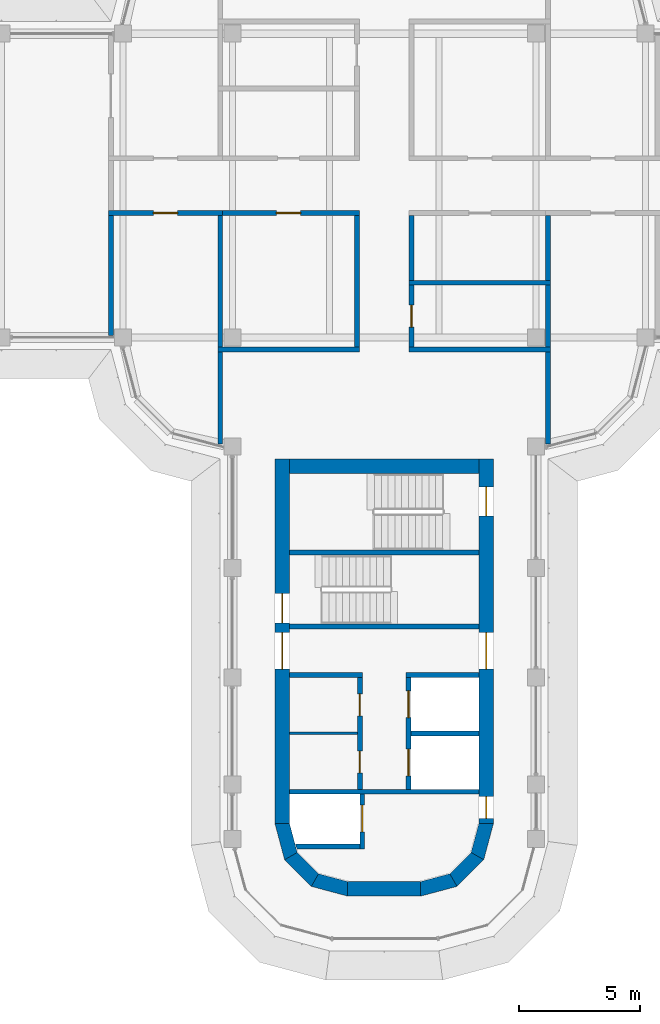
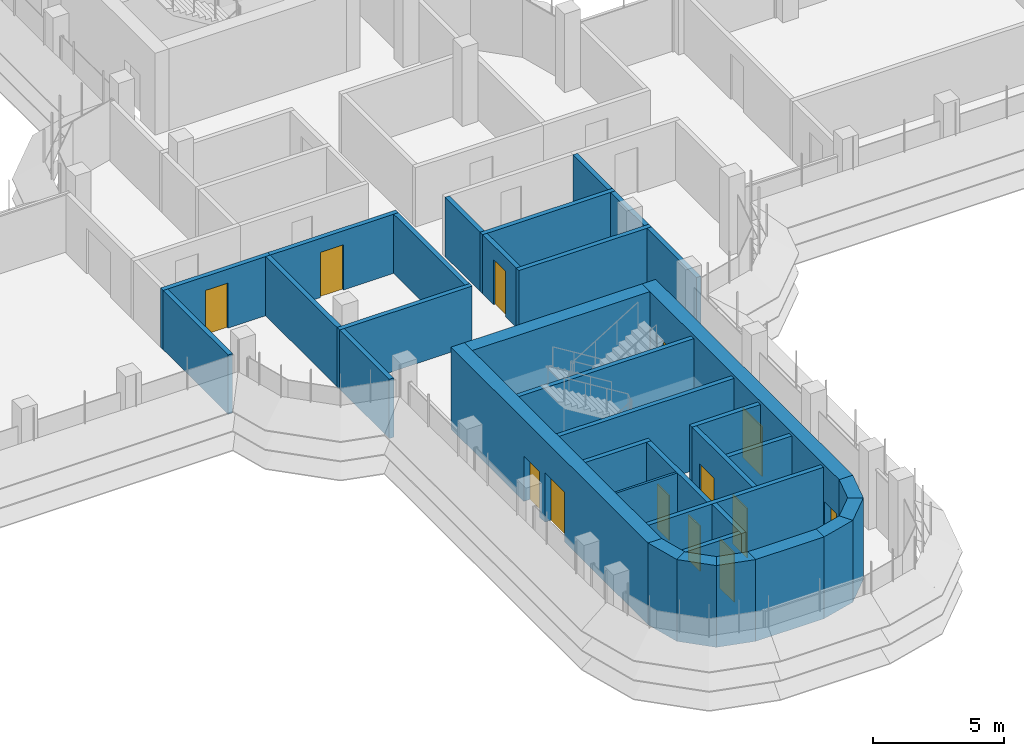
# One storey, part 13 of 19: 35 walls, 13 doors, 13 openings.
"""IFC4 building model written with IfcOpenShell, lengths in metres."""

from ifc_helpers import new_model, si_unit, direction, frame, frame_2d, origin, place, context, subcontext, project, spatial, polyline, rectangle, outline, extrude, material, layer, layer_set, type_object, element, fill, save


model = new_model("IFC4")

# Units and contexts
model_context = context("Model", 3, precision=1e-05, world=origin(), true_north=direction((0.0, 1.0)))
body_context = subcontext(model_context, "Body", "Model", "MODEL_VIEW")
ifc_project = project(units=[si_unit("LENGTHUNIT", "METRE"), si_unit("AREAUNIT", "SQUARE_METRE"), si_unit("VOLUMEUNIT", "CUBIC_METRE"), si_unit("PLANEANGLEUNIT", "RADIAN"), si_unit("MASSUNIT", "GRAM", prefix="KILO")], contexts=[model_context])

# Site, building, storey
site_placement = place(None, origin())
site = spatial("IfcSite", under=ifc_project, at=site_placement, CompositionType="ELEMENT")
building_placement = place(site_placement, origin())
building = spatial("IfcBuilding", under=site, at=building_placement, Name="Zarbagh Exchange Tower", CompositionType="ELEMENT")
storey_placement = place(building_placement, frame((0.0, 0.0, 222.0)))
storey = spatial("IfcBuildingStorey", under=building, at=storey_placement, Name="L54", CompositionType="ELEMENT", Elevation=222.0)

# Wall
ifc_material_1 = material(Name="Dense blockwork", Category="masonry")
ifc_layer_1 = layer(ifc_material_1, 0.10009765625)
ifc_layer_set_1 = layer_set([ifc_layer_1], Name="Core partition 100 mm blockwork")
wall_type_1 = type_object("IfcWallType", Name="Core partition 100 mm blockwork", PredefinedType="PARTITIONING", material=ifc_layer_set_1)
wall_1_placement = place(storey_placement, frame((-1.10009765625, -22.550048828125, 0.0), z_axis=(0.0, 0.0, 1.0), x_axis=(-1.0, 0.0, 0.0)))
element("IfcWall", 1, at=wall_1_placement, inside=storey, type_object=wall_type_1, Name="South core partition wall CUT-E-580", PredefinedType="PARTITIONING", context=body_context, shape_type="SweptSolid", body=[
    extrude(rectangle(XDim=2.7998046875, YDim=0.10009765625, at=frame_2d((1.39990234375, 0.0))), origin(), (0.0, 0.0, 1.0), 3.64990234375),
])

# Wall, opening, door
ifc_material_2 = material(Name="Fire-rated plasterboard partition")
ifc_layer_2 = layer(ifc_material_2, 0.199951171875)
ifc_layer_set_2 = layer_set([ifc_layer_2], Name="RATED PARTITION 200")
wall_type_2 = type_object("IfcWallType", Name="RATED PARTITION 200", PredefinedType="PARTITIONING", material=ifc_layer_set_2)
wall_2_placement = place(storey_placement, frame((-1.02490234375, -1.125, 0.0), z_axis=(0.0, 0.0, 1.0), x_axis=(-1.0, 0.0, 0.0)))
wall_2 = element("IfcWall", 2, at=wall_2_placement, inside=storey, type_object=wall_type_2, Name="Partition W-2407", PredefinedType="PARTITIONING", context=body_context, shape_type="SweptSolid", body=[
    extrude(rectangle(XDim=5.8251953125, YDim=0.199951171875, at=frame_2d((2.91259765625, 0.0))), origin(), (0.0, 0.0, 1.0), 2.75),
])
opening_1_placement = place(wall_2_placement, frame((2.41259765625, 0.0, 0.0)))
opening_1 = element("IfcOpeningElement", 3, at=opening_1_placement, cuts=wall_2, Name="Opening D-2411", PredefinedType="OPENING", context=body_context, shape_type="SweptSolid", body=[
    extrude(rectangle(XDim=1.0, YDim=2.10009765625, at=frame_2d((0.5, 1.050048828125))), frame((0.0, 0.10986328125, 0.0), z_axis=(0.0, -1.0, 0.0), x_axis=(1.0, 0.0, 0.0)), (0.0, 0.0, 1.0), 0.219970703125),
])
ifc_material_3 = material(Name="Steel door set", Category="steel")
door_type_1 = type_object("IfcDoorType", Name="FIRE DOOR 1000 X 2100 FD30S", OperationType="NOTDEFINED", PredefinedType="DOOR", material=ifc_material_3)
door_1_placement = place(opening_1_placement, origin())
door_1 = element("IfcDoor", 4, at=door_1_placement, inside=storey, type_object=door_type_1, Name="Door D-2411", OperationType="SINGLE_SWING_RIGHT", OverallHeight=2.10009765625, OverallWidth=1.0, PredefinedType="DOOR", context=body_context, shape_type="SweptSolid", body=[
    extrude(rectangle(XDim=1.0, YDim=2.10009765625, at=frame_2d((0.5, 1.050048828125))), frame((0.0, 0.02490234375, 0.0), z_axis=(0.0, -1.0, 0.0), x_axis=(1.0, 0.0, 0.0)), (0.0, 0.0, 1.0), 0.050048828125),
])
fill(opening_1, door_1)

wall_3_placement = place(storey_placement, frame((-6.64990234375, -1.125, 0.0), z_axis=(0.0, 0.0, 1.0), x_axis=(-1.0, 0.0, 0.0)))
wall_3 = element("IfcWall", 5, at=wall_3_placement, inside=storey, type_object=wall_type_2, Name="Partition W-2408", PredefinedType="PARTITIONING", context=body_context, shape_type="SweptSolid", body=[
    extrude(rectangle(XDim=4.7001953125, YDim=0.199951171875, at=frame_2d((2.35009765625, 0.0))), origin(), (0.0, 0.0, 1.0), 2.75),
])
opening_2_placement = place(wall_3_placement, frame((1.85009765625, 0.0, 0.0)))
opening_2 = element("IfcOpeningElement", 6, at=opening_2_placement, cuts=wall_3, Name="Opening D-2412", PredefinedType="OPENING", context=body_context, shape_type="SweptSolid", body=[
    extrude(rectangle(XDim=1.0, YDim=2.10009765625, at=frame_2d((0.5, 1.050048828125))), frame((0.0, 0.10986328125, 0.0), z_axis=(0.0, -1.0, 0.0), x_axis=(1.0, 0.0, 0.0)), (0.0, 0.0, 1.0), 0.219970703125),
])
door_2_placement = place(opening_2_placement, origin())
door_2 = element("IfcDoor", 7, at=door_2_placement, inside=storey, type_object=door_type_1, Name="Door D-2412", OperationType="SINGLE_SWING_RIGHT", OverallHeight=2.10009765625, OverallWidth=1.0, PredefinedType="DOOR", context=body_context, shape_type="SweptSolid", body=[
    extrude(rectangle(XDim=1.0, YDim=2.10009765625, at=frame_2d((0.5, 1.050048828125))), frame((0.0, 0.02490234375, 0.0), z_axis=(0.0, -1.0, 0.0), x_axis=(1.0, 0.0, 0.0)), (0.0, 0.0, 1.0), 0.050048828125),
])
fill(opening_2, door_2)

# Wall
wall_4_placement = place(storey_placement, frame((1.125, -3.89990234375, 0.0), z_axis=(0.0, 0.0, 1.0), x_axis=(0.0, 1.0, 0.0)))
element("IfcWall", 8, at=wall_4_placement, inside=storey, type_object=wall_type_2, Name="Partition W-2413", PredefinedType="PARTITIONING", context=body_context, shape_type="SweptSolid", body=[
    extrude(rectangle(XDim=2.6748046875, YDim=0.199951171875, at=frame_2d((1.33740234375, 0.0))), origin(), (0.0, 0.0, 1.0), 2.75),
])

# Wall, opening, door
wall_5_placement = place(storey_placement, frame((1.125, -4.10009765625, 0.0), z_axis=(0.0, 0.0, 1.0), x_axis=(0.0, -1.0, 0.0)))
wall_5 = element("IfcWall", 9, at=wall_5_placement, inside=storey, type_object=wall_type_2, Name="Partition W-2414", PredefinedType="PARTITIONING", context=body_context, shape_type="SweptSolid", body=[
    extrude(rectangle(XDim=2.5498046875, YDim=0.199951171875, at=frame_2d((1.27490234375, 0.0))), origin(), (0.0, 0.0, 1.0), 2.75),
])
opening_3_placement = place(wall_5_placement, frame((0.824951171875, 0.0, 0.0)))
opening_3 = element("IfcOpeningElement", 10, at=opening_3_placement, cuts=wall_5, Name="Opening D-2409", PredefinedType="OPENING", context=body_context, shape_type="SweptSolid", body=[
    extrude(rectangle(XDim=0.89990234375, YDim=2.10009765625, at=frame_2d((0.449951171875, 1.050048828125))), frame((0.0, 0.10986328125, 0.0), z_axis=(0.0, -1.0, 0.0), x_axis=(1.0, 0.0, 0.0)), (0.0, 0.0, 1.0), 0.219970703125),
])
ifc_material_4 = material(Name="Timber door leaf", Category="wood")
door_type_2 = type_object("IfcDoorType", Name="DOOR 900 X 2100", OperationType="NOTDEFINED", PredefinedType="DOOR", material=ifc_material_4)
door_3_placement = place(opening_3_placement, origin())
door_3 = element("IfcDoor", 11, at=door_3_placement, inside=storey, type_object=door_type_2, Name="Door D-2409", OperationType="SINGLE_SWING_RIGHT", OverallHeight=2.10009765625, OverallWidth=0.89990234375, PredefinedType="DOOR", context=body_context, shape_type="SweptSolid", body=[
    extrude(rectangle(XDim=0.89990234375, YDim=2.10009765625, at=frame_2d((0.449951171875, 1.050048828125))), frame((0.0, 0.02490234375, 0.0), z_axis=(0.0, -1.0, 0.0), x_axis=(1.0, 0.0, 0.0)), (0.0, 0.0, 1.0), 0.050048828125),
])
fill(opening_3, door_3)

# Walls
wall_6_placement = place(storey_placement, frame((-1.125, -6.64990234375, 0.0), z_axis=(0.0, 0.0, 1.0), x_axis=(0.0, 1.0, 0.0)))
element("IfcWall", 12, at=wall_6_placement, inside=storey, type_object=wall_type_2, Name="Partition W-2415", PredefinedType="PARTITIONING", context=body_context, shape_type="SweptSolid", body=[
    extrude(rectangle(XDim=5.4248046875, YDim=0.199951171875, at=frame_2d((2.71240234375, 0.0))), origin(), (0.0, 0.0, 1.0), 2.75),
])
wall_7_placement = place(storey_placement, frame((1.02490234375, -6.75, 0.0), z_axis=(0.0, 0.0, 1.0), x_axis=(1.0, 0.0, 0.0)))
element("IfcWall", 13, at=wall_7_placement, inside=storey, type_object=wall_type_2, Name="Partition W-2420", PredefinedType="PARTITIONING", context=body_context, shape_type="SweptSolid", body=[
    extrude(rectangle(XDim=5.8251953125, YDim=0.199951171875, at=frame_2d((2.91259765625, 0.0))), origin(), (0.0, 0.0, 1.0), 2.75),
])
wall_8_placement = place(storey_placement, frame((6.75, -10.6298828125, 0.0), z_axis=(0.0, 0.0, 1.0), x_axis=(0.0, 1.0, 0.0)))
element("IfcWall", 14, at=wall_8_placement, inside=storey, type_object=wall_type_2, Name="Partition W-2421", PredefinedType="PARTITIONING", context=body_context, shape_type="SweptSolid", body=[
    extrude(rectangle(XDim=3.77978515625, YDim=0.199951171875, at=frame_2d((1.889892578125, 0.0))), origin(), (0.0, 0.0, 1.0), 2.75),
])
wall_9_placement = place(storey_placement, frame((-6.85009765625, -6.75, 0.0), z_axis=(0.0, 0.0, 1.0), x_axis=(1.0, 0.0, 0.0)))
element("IfcWall", 15, at=wall_9_placement, inside=storey, type_object=wall_type_2, Name="Partition W-2422", PredefinedType="PARTITIONING", context=body_context, shape_type="SweptSolid", body=[
    extrude(rectangle(XDim=5.8251953125, YDim=0.199951171875, at=frame_2d((2.91259765625, 0.0))), origin(), (0.0, 0.0, 1.0), 2.75),
])
wall_10_placement = place(storey_placement, frame((-6.75, -10.6298828125, 0.0), z_axis=(0.0, 0.0, 1.0), x_axis=(0.0, 1.0, 0.0)))
element("IfcWall", 16, at=wall_10_placement, inside=storey, type_object=wall_type_2, Name="Partition W-2423", PredefinedType="PARTITIONING", context=body_context, shape_type="SweptSolid", body=[
    extrude(rectangle(XDim=3.77978515625, YDim=0.199951171875, at=frame_2d((1.889892578125, 0.0))), origin(), (0.0, 0.0, 1.0), 2.75),
])
wall_11_placement = place(storey_placement, frame((1.02490234375, -4.0, 0.0), z_axis=(0.0, 0.0, 1.0), x_axis=(1.0, 0.0, 0.0)))
element("IfcWall", 17, at=wall_11_placement, inside=storey, type_object=wall_type_2, Name="Partition W-2430", PredefinedType="PARTITIONING", context=body_context, shape_type="SweptSolid", body=[
    extrude(rectangle(XDim=5.8251953125, YDim=0.199951171875, at=frame_2d((2.91259765625, 0.0))), origin(), (0.0, 0.0, 1.0), 2.75),
])
wall_12_placement = place(storey_placement, frame((6.75, -3.89990234375, 0.0), z_axis=(0.0, 0.0, 1.0), x_axis=(0.0, 1.0, 0.0)))
element("IfcWall", 18, at=wall_12_placement, inside=storey, type_object=wall_type_2, Name="Partition W-2431", PredefinedType="PARTITIONING", context=body_context, shape_type="SweptSolid", body=[
    extrude(rectangle(XDim=2.6748046875, YDim=0.199951171875, at=frame_2d((1.33740234375, 0.0))), origin(), (0.0, 0.0, 1.0), 2.75),
])
wall_13_placement = place(storey_placement, frame((6.75, -6.64990234375, 0.0), z_axis=(0.0, 0.0, 1.0), x_axis=(0.0, 1.0, 0.0)))
element("IfcWall", 19, at=wall_13_placement, inside=storey, type_object=wall_type_2, Name="Partition W-2432", PredefinedType="PARTITIONING", context=body_context, shape_type="SweptSolid", body=[
    extrude(rectangle(XDim=2.5498046875, YDim=0.199951171875, at=frame_2d((1.27490234375, 0.0))), origin(), (0.0, 0.0, 1.0), 2.75),
])
wall_14_placement = place(storey_placement, frame((-6.75, -6.64990234375, 0.0), z_axis=(0.0, 0.0, 1.0), x_axis=(0.0, 1.0, 0.0)))
element("IfcWall", 20, at=wall_14_placement, inside=storey, type_object=wall_type_2, Name="Partition W-2434", PredefinedType="PARTITIONING", context=body_context, shape_type="SweptSolid", body=[
    extrude(rectangle(XDim=5.4248046875, YDim=0.199951171875, at=frame_2d((2.71240234375, 0.0))), origin(), (0.0, 0.0, 1.0), 2.75),
])
wall_15_placement = place(storey_placement, frame((-11.25, -6.169921875, 0.0), z_axis=(0.0, 0.0, 1.0), x_axis=(0.0, 1.0, 0.0)))
element("IfcWall", 21, at=wall_15_placement, inside=storey, type_object=wall_type_2, Name="Partition W-2435", PredefinedType="PARTITIONING", context=body_context, shape_type="SweptSolid", body=[
    extrude(rectangle(XDim=4.94482421875, YDim=0.199951171875, at=frame_2d((2.472412109375, 0.0))), origin(), (0.0, 0.0, 1.0), 2.75),
])
ifc_material_5 = material(Name="Concrete C50/60", Category="concrete")
ifc_layer_3 = layer(ifc_material_5, 0.60009765625)
ifc_layer_set_3 = layer_set([ifc_layer_3], Name="RC core corner wall 600 C50/60")
wall_type_3 = type_object("IfcWallType", Name="RC core corner wall 600 C50/60", PredefinedType="SHEAR", material=ifc_layer_set_3)
wall_16_placement = place(storey_placement, origin())
element("IfcWall", 22, at=wall_16_placement, inside=storey, type_object=wall_type_3, Name="CW8 core S corner W", PredefinedType="SHEAR", context=body_context, shape_type="SweptSolid", body=[
    extrude(outline(polyline([(-4.5, -26.25), (-4.09814453125, -27.75), (-3.57861328125, -27.449951171875), (-3.89990234375, -26.25), (-4.5, -26.25)])), origin(), (0.0, 0.0, 1.0), 3.800048828125),
])
wall_17_placement = place(storey_placement, origin())
element("IfcWall", 23, at=wall_17_placement, inside=storey, type_object=wall_type_3, Name="CW8 core S corner W", PredefinedType="SHEAR", context=body_context, shape_type="SweptSolid", body=[
    extrude(outline(polyline([(-4.09814453125, -27.75), (-3.0, -28.84814453125), (-2.699951171875, -28.32861328125), (-3.57861328125, -27.449951171875), (-4.09814453125, -27.75)])), origin(), (0.0, 0.0, 1.0), 3.800048828125),
])
wall_18_placement = place(storey_placement, origin())
element("IfcWall", 24, at=wall_18_placement, inside=storey, type_object=wall_type_3, Name="CW8 core S corner W", PredefinedType="SHEAR", context=body_context, shape_type="SweptSolid", body=[
    extrude(outline(polyline([(-3.0, -28.84814453125), (-1.5, -29.25), (-1.5, -28.64990234375), (-2.699951171875, -28.32861328125), (-3.0, -28.84814453125)])), origin(), (0.0, 0.0, 1.0), 3.800048828125),
])
wall_19_placement = place(storey_placement, origin())
element("IfcWall", 25, at=wall_19_placement, inside=storey, type_object=wall_type_3, Name="CW8 core S corner E", PredefinedType="SHEAR", context=body_context, shape_type="SweptSolid", body=[
    extrude(outline(polyline([(4.5, -26.25), (4.09814453125, -27.75), (3.57861328125, -27.449951171875), (3.89990234375, -26.25), (4.5, -26.25)])), origin(), (0.0, 0.0, 1.0), 3.800048828125),
])
wall_20_placement = place(storey_placement, origin())
element("IfcWall", 26, at=wall_20_placement, inside=storey, type_object=wall_type_3, Name="CW8 core S corner E", PredefinedType="SHEAR", context=body_context, shape_type="SweptSolid", body=[
    extrude(outline(polyline([(4.09814453125, -27.75), (3.0, -28.84814453125), (2.699951171875, -28.32861328125), (3.57861328125, -27.449951171875), (4.09814453125, -27.75)])), origin(), (0.0, 0.0, 1.0), 3.800048828125),
])
wall_21_placement = place(storey_placement, origin())
element("IfcWall", 27, at=wall_21_placement, inside=storey, type_object=wall_type_3, Name="CW8 core S corner E", PredefinedType="SHEAR", context=body_context, shape_type="SweptSolid", body=[
    extrude(outline(polyline([(3.0, -28.84814453125), (1.5, -29.25), (1.5, -28.64990234375), (2.699951171875, -28.32861328125), (3.0, -28.84814453125)])), origin(), (0.0, 0.0, 1.0), 3.800048828125),
])

# Wall, openings, doors
ifc_layer_4 = layer(ifc_material_5, 0.60009765625)
ifc_layer_set_4 = layer_set([ifc_layer_4], Name="RC core wall 600 C50/60")
wall_type_4 = type_object("IfcWallType", Name="RC core wall 600 C50/60", PredefinedType="SHEAR", material=ifc_layer_set_4)
wall_22_placement = place(storey_placement, frame((-4.199951171875, -11.25, 0.0), z_axis=(0.0, 0.0, 1.0), x_axis=(0.0, -1.0, 0.0)))
wall_22 = element("IfcWall", 28, at=wall_22_placement, inside=storey, type_object=wall_type_4, Name="CW7 core S W", PredefinedType="SHEAR", context=body_context, shape_type="SweptSolid", body=[
    extrude(rectangle(XDim=15.0, YDim=0.60009765625, at=frame_2d((7.5, 0.0))), origin(), (0.0, 0.0, 1.0), 3.800048828125),
])
opening_4_placement = place(wall_22_placement, frame((7.14990234375, 0.0, 0.0)))
opening_4 = element("IfcOpeningElement", 29, at=opening_4_placement, cuts=wall_22, Name="Opening CD1-1500", PredefinedType="OPENING", context=body_context, shape_type="SweptSolid", body=[
    extrude(rectangle(XDim=1.5, YDim=2.300048828125, at=frame_2d((0.75, 1.14990234375))), frame((0.0, 0.31005859375, 0.0), z_axis=(0.0, -1.0, 0.0), x_axis=(1.0, 0.0, 0.0)), (0.0, 0.0, 1.0), 0.6201171875),
])
opening_5_placement = place(wall_22_placement, frame((5.550048828125, 0.0, 0.0)))
opening_5 = element("IfcOpeningElement", 30, at=opening_5_placement, cuts=wall_22, Name="Opening SD1-1200", PredefinedType="OPENING", context=body_context, shape_type="SweptSolid", body=[
    extrude(rectangle(XDim=1.199951171875, YDim=2.10009765625, at=frame_2d((0.60009765625, 1.050048828125))), frame((0.0, 0.31005859375, 0.0), z_axis=(0.0, -1.0, 0.0), x_axis=(1.0, 0.0, 0.0)), (0.0, 0.0, 1.0), 0.6201171875),
])
ifc_material_6 = material(Name="Steel", Category="steel")
door_type_3 = type_object("IfcDoorType", Name="Exit stair door 1200 x 2100", OperationType="NOTDEFINED", PredefinedType="DOOR", material=ifc_material_6)
door_4_placement = place(opening_5_placement, origin())
door_4 = element("IfcDoor", 31, at=door_4_placement, inside=storey, type_object=door_type_3, Name="South core stair door ST1", OperationType="SINGLE_SWING_RIGHT", OverallHeight=2.10009765625, OverallWidth=1.199951171875, PredefinedType="DOOR", context=body_context, shape_type="SweptSolid", body=[
    extrude(rectangle(XDim=1.199951171875, YDim=2.10009765625, at=frame_2d((0.60009765625, 1.050048828125))), frame((0.0, 0.02490234375, 0.0), z_axis=(0.0, -1.0, 0.0), x_axis=(1.0, 0.0, 0.0)), (0.0, 0.0, 1.0), 0.050048828125),
])
fill(opening_5, door_4)
door_type_4 = type_object("IfcDoorType", Name="Lift lobby double door 1500 x 2300", OperationType="NOTDEFINED", PredefinedType="DOOR", material=ifc_material_6)
door_5_placement = place(opening_4_placement, origin())
door_5 = element("IfcDoor", 32, at=door_5_placement, inside=storey, type_object=door_type_4, Name="South core lift lobby door LOBBY-E", OperationType="DOUBLE_DOOR_SINGLE_SWING", OverallHeight=2.300048828125, OverallWidth=1.5, PredefinedType="DOOR", context=body_context, shape_type="SweptSolid", body=[
    extrude(rectangle(XDim=1.5, YDim=2.300048828125, at=frame_2d((0.75, 1.14990234375))), frame((0.0, 0.02490234375, 0.0), z_axis=(0.0, -1.0, 0.0), x_axis=(1.0, 0.0, 0.0)), (0.0, 0.0, 1.0), 0.050048828125),
])
fill(opening_4, door_5)

wall_23_placement = place(storey_placement, frame((4.199951171875, -11.25, 0.0), z_axis=(0.0, 0.0, 1.0), x_axis=(0.0, -1.0, 0.0)))
wall_23 = element("IfcWall", 33, at=wall_23_placement, inside=storey, type_object=wall_type_4, Name="CW7 core S E", PredefinedType="SHEAR", context=body_context, shape_type="SweptSolid", body=[
    extrude(rectangle(XDim=15.0, YDim=0.60009765625, at=frame_2d((7.5, 0.0))), origin(), (0.0, 0.0, 1.0), 3.800048828125),
])
opening_6_placement = place(wall_23_placement, frame((7.14990234375, 0.0, 0.0)))
opening_6 = element("IfcOpeningElement", 34, at=opening_6_placement, cuts=wall_23, Name="Opening CD1-1500", PredefinedType="OPENING", context=body_context, shape_type="SweptSolid", body=[
    extrude(rectangle(XDim=1.5, YDim=2.300048828125, at=frame_2d((0.75, 1.14990234375))), frame((0.0, 0.31005859375, 0.0), z_axis=(0.0, -1.0, 0.0), x_axis=(1.0, 0.0, 0.0)), (0.0, 0.0, 1.0), 0.6201171875),
])
opening_7_placement = place(wall_23_placement, frame((13.89990234375, 0.0, 0.0)))
opening_7 = element("IfcOpeningElement", 35, at=opening_7_placement, cuts=wall_23, Name="Opening CD2-900", PredefinedType="OPENING", context=body_context, shape_type="SweptSolid", body=[
    extrude(rectangle(XDim=0.89990234375, YDim=2.10009765625, at=frame_2d((0.449951171875, 1.050048828125))), frame((0.0, 0.31005859375, 0.0), z_axis=(0.0, -1.0, 0.0), x_axis=(1.0, 0.0, 0.0)), (0.0, 0.0, 1.0), 0.6201171875),
])
opening_8_placement = place(wall_23_placement, frame((1.14990234375, 0.0, 0.0)))
opening_8 = element("IfcOpeningElement", 36, at=opening_8_placement, cuts=wall_23, Name="Opening SD1-1200", PredefinedType="OPENING", context=body_context, shape_type="SweptSolid", body=[
    extrude(rectangle(XDim=1.199951171875, YDim=2.10009765625, at=frame_2d((0.60009765625, 1.050048828125))), frame((0.0, 0.31005859375, 0.0), z_axis=(0.0, -1.0, 0.0), x_axis=(1.0, 0.0, 0.0)), (0.0, 0.0, 1.0), 0.6201171875),
])
door_6_placement = place(opening_8_placement, origin())
door_6 = element("IfcDoor", 37, at=door_6_placement, inside=storey, type_object=door_type_3, Name="South core stair door ST2", OperationType="SINGLE_SWING_RIGHT", OverallHeight=2.10009765625, OverallWidth=1.199951171875, PredefinedType="DOOR", context=body_context, shape_type="SweptSolid", body=[
    extrude(rectangle(XDim=1.199951171875, YDim=2.10009765625, at=frame_2d((0.60009765625, 1.050048828125))), frame((0.0, 0.02490234375, 0.0), z_axis=(0.0, -1.0, 0.0), x_axis=(1.0, 0.0, 0.0)), (0.0, 0.0, 1.0), 0.050048828125),
])
fill(opening_8, door_6)
door_type_5 = type_object("IfcDoorType", Name="Firefighting lobby door 900 x 2100", OperationType="NOTDEFINED", PredefinedType="DOOR", material=ifc_material_6)
door_7_placement = place(opening_7_placement, origin())
door_7 = element("IfcDoor", 38, at=door_7_placement, inside=storey, type_object=door_type_5, Name="South core firefighting lobby door FF-W", OperationType="SINGLE_SWING_RIGHT", OverallHeight=2.10009765625, OverallWidth=0.89990234375, PredefinedType="DOOR", context=body_context, shape_type="SweptSolid", body=[
    extrude(rectangle(XDim=0.89990234375, YDim=2.10009765625, at=frame_2d((0.449951171875, 1.050048828125))), frame((0.0, 0.02490234375, 0.0), z_axis=(0.0, -1.0, 0.0), x_axis=(1.0, 0.0, 0.0)), (0.0, 0.0, 1.0), 0.050048828125),
])
fill(opening_7, door_7)
door_8_placement = place(opening_6_placement, origin())
door_8 = element("IfcDoor", 39, at=door_8_placement, inside=storey, type_object=door_type_4, Name="South core lift lobby door LOBBY-W", OperationType="DOUBLE_DOOR_SINGLE_SWING", OverallHeight=2.300048828125, OverallWidth=1.5, PredefinedType="DOOR", context=body_context, shape_type="SweptSolid", body=[
    extrude(rectangle(XDim=1.5, YDim=2.300048828125, at=frame_2d((0.75, 1.14990234375))), frame((0.0, 0.02490234375, 0.0), z_axis=(0.0, -1.0, 0.0), x_axis=(1.0, 0.0, 0.0)), (0.0, 0.0, 1.0), 0.050048828125),
])
fill(opening_6, door_8)

# Walls
wall_24_placement = place(storey_placement, frame((-3.89990234375, -11.550048828125, 0.0), z_axis=(0.0, 0.0, 1.0), x_axis=(1.0, 0.0, 0.0)))
element("IfcWall", 40, at=wall_24_placement, inside=storey, type_object=wall_type_4, Name="CW7 core S inner end", PredefinedType="SHEAR", context=body_context, shape_type="SweptSolid", body=[
    extrude(rectangle(XDim=7.7998046875, YDim=0.60009765625, at=frame_2d((3.89990234375, 0.0))), origin(), (0.0, 0.0, 1.0), 3.800048828125),
])
wall_25_placement = place(storey_placement, frame((-1.5, -28.949951171875, 0.0), z_axis=(0.0, 0.0, 1.0), x_axis=(1.0, 0.0, 0.0)))
element("IfcWall", 41, at=wall_25_placement, inside=storey, type_object=wall_type_4, Name="CW7 core S outer end", PredefinedType="SHEAR", context=body_context, shape_type="SweptSolid", body=[
    extrude(rectangle(XDim=3.0, YDim=0.60009765625, at=frame_2d((1.5, 0.0))), origin(), (0.0, 0.0, 1.0), 3.800048828125),
])
ifc_layer_5 = layer(ifc_material_1, 0.199951171875)
ifc_layer_set_5 = layer_set([ifc_layer_5], Name="Shaft wall 200 mm blockwork")
wall_type_5 = type_object("IfcWallType", Name="Shaft wall 200 mm blockwork", PredefinedType="PARTITIONING", material=ifc_layer_set_5)
wall_26_placement = place(storey_placement, frame((3.89990234375, -20.14990234375, 0.0), z_axis=(0.0, 0.0, 1.0), x_axis=(-1.0, 0.0, 0.0)))
element("IfcWall", 42, at=wall_26_placement, inside=storey, type_object=wall_type_5, Name="South core shaft wall AB-W", PredefinedType="PARTITIONING", context=body_context, shape_type="SweptSolid", body=[
    extrude(rectangle(XDim=3.0, YDim=0.199951171875, at=frame_2d((1.5, 0.0))), origin(), (0.0, 0.0, 1.0), 3.64990234375),
])

# Wall, openings, doors
wall_27_placement = place(storey_placement, frame((1.0, -24.85009765625, 0.0), z_axis=(0.0, 0.0, 1.0), x_axis=(0.0, 1.0, 0.0)))
wall_27 = element("IfcWall", 43, at=wall_27_placement, inside=storey, type_object=wall_type_5, Name="South core shaft wall LW-W", PredefinedType="PARTITIONING", context=body_context, shape_type="SweptSolid", body=[
    extrude(rectangle(XDim=4.60009765625, YDim=0.199951171875, at=frame_2d((2.300048828125, 0.0))), origin(), (0.0, 0.0, 1.0), 3.64990234375),
])
opening_9_placement = place(wall_27_placement, frame((0.550048828125, 0.0, 0.0)))
opening_9 = element("IfcOpeningElement", 44, at=opening_9_placement, cuts=wall_27, Name="Opening LD-1100", PredefinedType="OPENING", context=body_context, shape_type="SweptSolid", body=[
    extrude(rectangle(XDim=1.10009765625, YDim=2.300048828125, at=frame_2d((0.550048828125, 1.14990234375))), frame((0.0, 0.10986328125, 0.0), z_axis=(0.0, -1.0, 0.0), x_axis=(1.0, 0.0, 0.0)), (0.0, 0.0, 1.0), 0.219970703125),
])
opening_10_placement = place(wall_27_placement, frame((2.949951171875, 0.0, 0.0)))
opening_10 = element("IfcOpeningElement", 45, at=opening_10_placement, cuts=wall_27, Name="Opening LD-1100", PredefinedType="OPENING", context=body_context, shape_type="SweptSolid", body=[
    extrude(rectangle(XDim=1.10009765625, YDim=2.300048828125, at=frame_2d((0.550048828125, 1.14990234375))), frame((0.0, 0.10986328125, 0.0), z_axis=(0.0, -1.0, 0.0), x_axis=(1.0, 0.0, 0.0)), (0.0, 0.0, 1.0), 0.219970703125),
])
ifc_material_7 = material(Name="Stainless steel", Category="steel")
door_type_6 = type_object("IfcDoorType", Name="Lift landing door 1100 x 2300", OperationType="NOTDEFINED", PredefinedType="DOOR", material=ifc_material_7)
door_9_placement = place(opening_9_placement, origin())
door_9 = element("IfcDoor", 46, at=door_9_placement, inside=storey, type_object=door_type_6, Name="South core lift landing door LD-P-S1", OperationType="DOUBLE_DOOR_SLIDING", OverallHeight=2.300048828125, OverallWidth=1.10009765625, PredefinedType="DOOR", context=body_context, shape_type="SweptSolid", body=[
    extrude(rectangle(XDim=1.10009765625, YDim=2.300048828125, at=frame_2d((0.550048828125, 1.14990234375))), frame((0.0, 0.02490234375, 0.0), z_axis=(0.0, -1.0, 0.0), x_axis=(1.0, 0.0, 0.0)), (0.0, 0.0, 1.0), 0.050048828125),
])
fill(opening_9, door_9)
door_10_placement = place(opening_10_placement, origin())
door_10 = element("IfcDoor", 47, at=door_10_placement, inside=storey, type_object=door_type_6, Name="South core lift landing door LD-P-S2", OperationType="DOUBLE_DOOR_SLIDING", OverallHeight=2.300048828125, OverallWidth=1.10009765625, PredefinedType="DOOR", context=body_context, shape_type="SweptSolid", body=[
    extrude(rectangle(XDim=1.10009765625, YDim=2.300048828125, at=frame_2d((0.550048828125, 1.14990234375))), frame((0.0, 0.02490234375, 0.0), z_axis=(0.0, -1.0, 0.0), x_axis=(1.0, 0.0, 0.0)), (0.0, 0.0, 1.0), 0.050048828125),
])
fill(opening_10, door_10)

# Wall
wall_28_placement = place(storey_placement, frame((-0.89990234375, -20.14990234375, 0.0), z_axis=(0.0, 0.0, 1.0), x_axis=(-1.0, 0.0, 0.0)))
element("IfcWall", 48, at=wall_28_placement, inside=storey, type_object=wall_type_5, Name="South core shaft wall AB-E", PredefinedType="PARTITIONING", context=body_context, shape_type="SweptSolid", body=[
    extrude(rectangle(XDim=3.0, YDim=0.199951171875, at=frame_2d((1.5, 0.0))), origin(), (0.0, 0.0, 1.0), 3.64990234375),
])

# Wall, openings, doors
wall_29_placement = place(storey_placement, frame((-1.0, -24.85009765625, 0.0), z_axis=(0.0, 0.0, 1.0), x_axis=(0.0, 1.0, 0.0)))
wall_29 = element("IfcWall", 49, at=wall_29_placement, inside=storey, type_object=wall_type_5, Name="South core shaft wall LW-E", PredefinedType="PARTITIONING", context=body_context, shape_type="SweptSolid", body=[
    extrude(rectangle(XDim=4.60009765625, YDim=0.199951171875, at=frame_2d((2.300048828125, 0.0))), origin(), (0.0, 0.0, 1.0), 3.64990234375),
])
opening_11_placement = place(wall_29_placement, frame((0.675048828125, 0.0, 0.0)))
opening_11 = element("IfcOpeningElement", 50, at=opening_11_placement, cuts=wall_29, Name="Opening CD3-900", PredefinedType="OPENING", context=body_context, shape_type="SweptSolid", body=[
    extrude(rectangle(XDim=0.89990234375, YDim=2.10009765625, at=frame_2d((0.449951171875, 1.050048828125))), frame((0.0, 0.10986328125, 0.0), z_axis=(0.0, -1.0, 0.0), x_axis=(1.0, 0.0, 0.0)), (0.0, 0.0, 1.0), 0.219970703125),
])
opening_12_placement = place(wall_29_placement, frame((3.02490234375, 0.0, 0.0)))
opening_12 = element("IfcOpeningElement", 51, at=opening_12_placement, cuts=wall_29, Name="Opening CD3-900", PredefinedType="OPENING", context=body_context, shape_type="SweptSolid", body=[
    extrude(rectangle(XDim=0.89990234375, YDim=2.10009765625, at=frame_2d((0.449951171875, 1.050048828125))), frame((0.0, 0.10986328125, 0.0), z_axis=(0.0, -1.0, 0.0), x_axis=(1.0, 0.0, 0.0)), (0.0, 0.0, 1.0), 0.219970703125),
])
door_type_7 = type_object("IfcDoorType", Name="Core room door 900 x 2100", OperationType="NOTDEFINED", PredefinedType="DOOR", material=ifc_material_6)
door_11_placement = place(opening_11_placement, origin())
door_11 = element("IfcDoor", 52, at=door_11_placement, inside=storey, type_object=door_type_7, Name="South core Staff WC door RD-E-0", OperationType="SINGLE_SWING_LEFT", OverallHeight=2.10009765625, OverallWidth=0.89990234375, PredefinedType="DOOR", context=body_context, shape_type="SweptSolid", body=[
    extrude(rectangle(XDim=0.89990234375, YDim=2.10009765625, at=frame_2d((0.449951171875, 1.050048828125))), frame((0.0, 0.02490234375, 0.0), z_axis=(0.0, -1.0, 0.0), x_axis=(1.0, 0.0, 0.0)), (0.0, 0.0, 1.0), 0.050048828125),
])
fill(opening_11, door_11)
door_12_placement = place(opening_12_placement, origin())
door_12 = element("IfcDoor", 53, at=door_12_placement, inside=storey, type_object=door_type_7, Name="South core Accessible WC door RD-E-1", OperationType="SINGLE_SWING_RIGHT", OverallHeight=2.10009765625, OverallWidth=0.89990234375, PredefinedType="DOOR", context=body_context, shape_type="SweptSolid", body=[
    extrude(rectangle(XDim=0.89990234375, YDim=2.10009765625, at=frame_2d((0.449951171875, 1.050048828125))), frame((0.0, 0.02490234375, 0.0), z_axis=(0.0, -1.0, 0.0), x_axis=(1.0, 0.0, 0.0)), (0.0, 0.0, 1.0), 0.050048828125),
])
fill(opening_12, door_12)

# Walls
wall_30_placement = place(storey_placement, frame((3.89990234375, -22.550048828125, 0.0), z_axis=(0.0, 0.0, 1.0), x_axis=(-1.0, 0.0, 0.0)))
element("IfcWall", 54, at=wall_30_placement, inside=storey, type_object=wall_type_5, Name="South core shaft wall TR-W", PredefinedType="PARTITIONING", context=body_context, shape_type="SweptSolid", body=[
    extrude(rectangle(XDim=2.7998046875, YDim=0.199951171875, at=frame_2d((1.39990234375, 0.0))), origin(), (0.0, 0.0, 1.0), 3.64990234375),
])
ifc_material_8 = material(Name="Concrete C40/50", Category="concrete")
ifc_layer_6 = layer(ifc_material_8, 0.199951171875)
ifc_layer_set_6 = layer_set([ifc_layer_6], Name="Stair enclosure wall 200 mm RC C40/50")
wall_type_6 = type_object("IfcWallType", Name="Stair enclosure wall 200 mm RC C40/50", PredefinedType="SHEAR", material=ifc_layer_set_6)
wall_31_placement = place(storey_placement, frame((3.89990234375, -24.949951171875, 0.0), z_axis=(0.0, 0.0, 1.0), x_axis=(-1.0, 0.0, 0.0)))
element("IfcWall", 55, at=wall_31_placement, inside=storey, type_object=wall_type_6, Name="South core lift shaft wall FFA", PredefinedType="SHEAR", context=body_context, shape_type="SweptSolid", body=[
    extrude(rectangle(XDim=7.7998046875, YDim=0.199951171875, at=frame_2d((3.89990234375, 0.0))), origin(), (0.0, 0.0, 1.0), 3.64990234375),
])

# Wall, opening, door
wall_32_placement = place(storey_placement, frame((-0.89990234375, -27.300048828125, 0.0), z_axis=(0.0, 0.0, 1.0), x_axis=(0.0, 1.0, 0.0)))
wall_32 = element("IfcWall", 56, at=wall_32_placement, inside=storey, type_object=wall_type_6, Name="South core lift shaft wall FFL", PredefinedType="SHEAR", context=body_context, shape_type="SweptSolid", body=[
    extrude(rectangle(XDim=2.25, YDim=0.199951171875, at=frame_2d((1.125, 0.0))), origin(), (0.0, 0.0, 1.0), 3.64990234375),
])
opening_13_placement = place(wall_32_placement, frame((0.699951171875, 0.0, 0.0)))
opening_13 = element("IfcOpeningElement", 57, at=opening_13_placement, cuts=wall_32, Name="Opening LD-1100", PredefinedType="OPENING", context=body_context, shape_type="SweptSolid", body=[
    extrude(rectangle(XDim=1.10009765625, YDim=2.300048828125, at=frame_2d((0.550048828125, 1.14990234375))), frame((0.0, 0.10986328125, 0.0), z_axis=(0.0, -1.0, 0.0), x_axis=(1.0, 0.0, 0.0)), (0.0, 0.0, 1.0), 0.219970703125),
])
door_13_placement = place(opening_13_placement, origin())
door_13 = element("IfcDoor", 58, at=door_13_placement, inside=storey, type_object=door_type_6, Name="South core lift landing door LD-F", OperationType="DOUBLE_DOOR_SLIDING", OverallHeight=2.300048828125, OverallWidth=1.10009765625, PredefinedType="DOOR", context=body_context, shape_type="SweptSolid", body=[
    extrude(rectangle(XDim=1.10009765625, YDim=2.300048828125, at=frame_2d((0.550048828125, 1.14990234375))), frame((0.0, 0.02490234375, 0.0), z_axis=(0.0, -1.0, 0.0), x_axis=(1.0, 0.0, 0.0)), (0.0, 0.0, 1.0), 0.050048828125),
])
fill(opening_13, door_13)

# Walls
wall_33_placement = place(storey_placement, origin())
element("IfcWall", 59, at=wall_33_placement, inside=storey, type_object=wall_type_6, Name="South core lift shaft wall FFX", PredefinedType="SHEAR", context=body_context, shape_type="SweptSolid", body=[
    extrude(outline(polyline([(-1.0, -27.10009765625), (-3.651123046875, -27.10009765625), (-3.597412109375, -27.300048828125), (-1.0, -27.300048828125), (-1.0, -27.10009765625)])), origin(), (0.0, 0.0, 1.0), 3.64990234375),
])
for number, where, z_axis, x_axis, name in (
    (60, (3.89990234375, -18.14990234375, 0.0), (0.0, 0.0, 1.0), (-1.0, 0.0, 0.0), "South core stair wall BS"),
    (61, (3.89990234375, -15.10009765625, 0.0), (0.0, 0.0, 1.0), (-1.0, 0.0, 0.0), "South core stair wall ST12"),
):
    element("IfcWall", number, at=place(storey_placement, frame(where, z_axis=z_axis, x_axis=x_axis)), inside=storey, type_object=wall_type_6, Name=name, PredefinedType="SHEAR", context=body_context, shape_type="SweptSolid", body=[
        extrude(rectangle(XDim=7.7998046875, YDim=0.199951171875, at=frame_2d((3.89990234375, 0.0))), origin(), (0.0, 0.0, 1.0), 3.64990234375),
    ])

save(model, "model.ifc")
